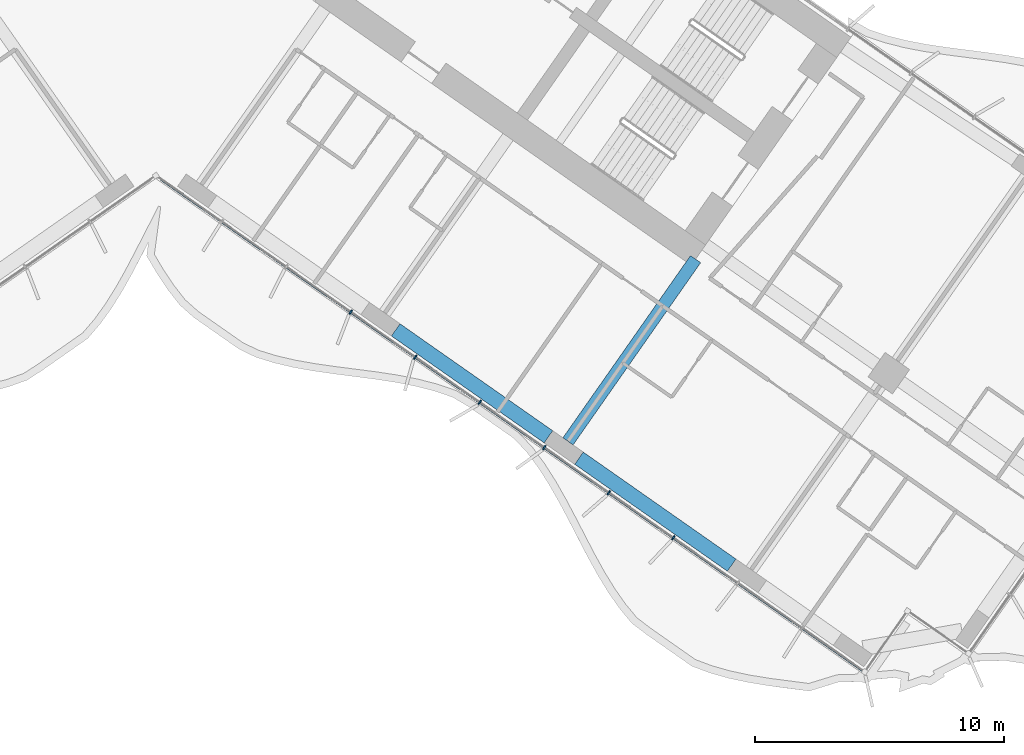
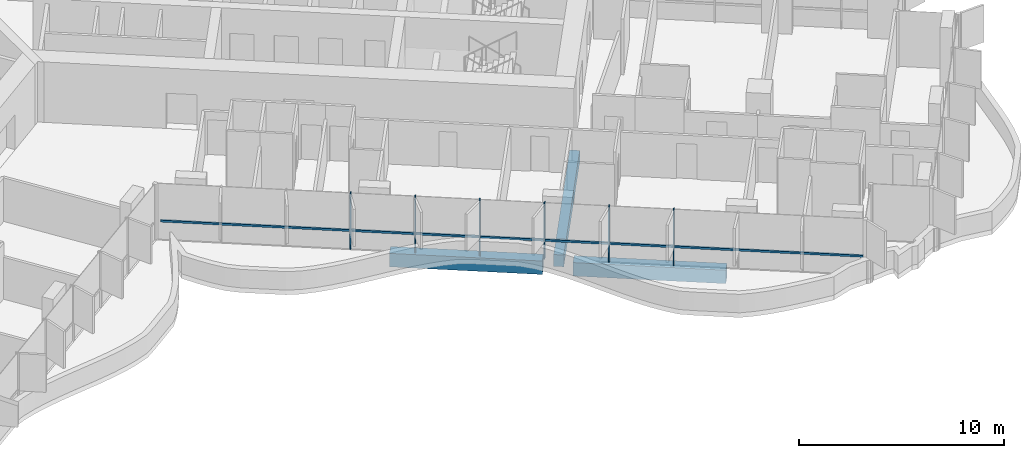
# One storey, part 5 of 23: 7 members, 3 beams, 1 element without a shape of its own.
"""IFC4 building model written with IfcOpenShell, lengths in metres."""

import ifcopenshell
import ifcopenshell.guid

model = None  # the IFC model being written
_history = None  # IfcOwnerHistory: only IFC2X3 demands one
_inside = {}  # id of a spatial element -> (the spatial element, [elements in it])
_under = {}  # id of a project, library or spatial element -> (it, [spatial elements below it])
_declared = {}  # id of a project -> (the project, [libraries it declares])
_typed = {}  # id of a type object -> (the type object, [elements of that type])
_made_of = {}  # id of a material, layer set ... -> (it, [elements and type objects made of it])


def new_model(schema):
    """Start an empty IFC model of exactly this schema.

    Asked for "IFC4X3", IfcOpenShell would pick the latest addendum, in which some entities
    have other attributes; the version numbers below select the first issue.
    IFC2X3 requires an IfcOwnerHistory on every rooted entity: one is made here for all.
    """
    global model, _history
    if schema == "IFC4X3":
        model = ifcopenshell.file(schema_version=(4, 3, 0, 0))
    else:
        model = ifcopenshell.file(schema=schema)
    _inside.clear()
    _under.clear()
    _declared.clear()
    _typed.clear()
    _made_of.clear()
    _history = None
    if model.schema == "IFC2X3":
        org = make("IfcOrganization", Name="unknown")
        user = make(
            "IfcPersonAndOrganization",
            ThePerson=make("IfcPerson", FamilyName="unknown"),
            TheOrganization=org,
        )
        app = make(
            "IfcApplication",
            ApplicationDeveloper=org,
            Version="unknown",
            ApplicationFullName="unknown",
            ApplicationIdentifier="unknown",
        )
        _history = make(
            "IfcOwnerHistory",
            OwningUser=user,
            OwningApplication=app,
            ChangeAction="ADDED",
            CreationDate=0,
        )
    return model


def make(cls, **values):
    """One entity of the class cls with the attributes given. An attribute that is None is left unset."""
    return model.create_entity(
        cls, **{name: value for name, value in values.items() if value is not None}
    )


def rooted(cls, **values):
    """An entity with a GlobalId (a new one), such as an element, a storey or a relation."""
    return make(cls, GlobalId=ifcopenshell.guid.new(), OwnerHistory=_history, **values)


def si_unit(unit_type, name, prefix=None):
    """IfcSIUnit, for example si_unit("LENGTHUNIT", "METRE", prefix="MILLI")."""
    return make("IfcSIUnit", UnitType=unit_type, Prefix=prefix, Name=name)


def assignment(units):
    """IfcUnitAssignment: the units of a project."""
    return None if units is None else make("IfcUnitAssignment", Units=units)


def point(xyz):
    """IfcCartesianPoint."""
    return None if xyz is None else make("IfcCartesianPoint", Coordinates=xyz)


def direction(xyz):
    """IfcDirection."""
    return None if xyz is None else make("IfcDirection", DirectionRatios=xyz)


def frame(location, z_axis=None, x_axis=None):
    """IfcAxis2Placement3D, a coordinate frame: its origin and axes. An axis left out is left unset."""
    return make(
        "IfcAxis2Placement3D",
        Location=point(location),
        Axis=direction(z_axis),
        RefDirection=direction(x_axis),
    )


def frame_2d(location, x_axis=None):
    """IfcAxis2Placement2D, a coordinate frame in the plane: its origin and x axis."""
    return make(
        "IfcAxis2Placement2D", Location=point(location), RefDirection=direction(x_axis)
    )


def origin():
    """The frame at (0, 0, 0) with its axes left unset."""
    return frame((0.0, 0.0, 0.0))


def origin_2d():
    """The frame at (0, 0) in the plane with its x axis left unset."""
    return frame_2d((0.0, 0.0))


def place(relative_to, where):
    """IfcLocalPlacement: puts the frame where relative to a parent placement (None: the world)."""
    return make(
        "IfcLocalPlacement", PlacementRelTo=relative_to, RelativePlacement=where
    )


def context(
    kind, dimensions, precision=None, world=None, true_north=None, identifier=None
):
    """IfcGeometricRepresentationContext, for example the 3D "Model" context."""
    return make(
        "IfcGeometricRepresentationContext",
        ContextIdentifier=identifier,
        ContextType=kind,
        CoordinateSpaceDimension=dimensions,
        Precision=precision,
        WorldCoordinateSystem=world,
        TrueNorth=true_north,
    )


def subcontext(parent, identifier, kind, view, scale=None):
    """IfcGeometricRepresentationSubContext, for example "Body" below "Model"."""
    return make(
        "IfcGeometricRepresentationSubContext",
        ContextIdentifier=identifier,
        ContextType=kind,
        ParentContext=parent,
        TargetScale=scale,
        TargetView=view,
    )


def project(units=None, contexts=None):
    """IfcProject with its units and contexts."""
    return rooted(
        "IfcProject",
        Name="project",
        RepresentationContexts=contexts,
        UnitsInContext=assignment(units),
    )


def spatial(cls, under=None, at=None, **own):
    """A site, building, storey or space (cls), placed at a placement, below another one or the project."""
    s = rooted(cls, ObjectPlacement=at, **own)
    if under is not None:
        _under.setdefault(under.id(), (under, []))[1].append(s)
    return s


def profile(cls, at=None, kind="AREA", **sizes):
    """A parametric profile (cls). Its sizes go by their IFC names, for example OverallWidth=200.0."""
    return make(cls, ProfileType=kind, Position=at, **sizes)


def rectangle(**sizes):
    """IfcRectangleProfileDef."""
    return profile("IfcRectangleProfileDef", **sizes)


def extrude(swept, where, along, depth):
    """IfcExtrudedAreaSolid: the profile swept, set in the frame where, extruded along a direction by depth."""
    return make(
        "IfcExtrudedAreaSolid",
        SweptArea=swept,
        Position=where,
        ExtrudedDirection=direction(along),
        Depth=depth,
    )


def shape(context_of_items, identifier, shape_type, items):
    """IfcShapeRepresentation: the items that make up one representation, for example the "Body"."""
    return make(
        "IfcShapeRepresentation",
        ContextOfItems=context_of_items,
        RepresentationIdentifier=identifier,
        RepresentationType=shape_type,
        Items=items,
    )


def material(Name=None, Category=None):
    """IfcMaterial."""
    return make("IfcMaterial", Name=Name, Category=Category)


def material_profile(
    of_material, cross_section, Name=None, Category=None, Priority=None
):
    """IfcMaterialProfile: a cross section and its material."""
    return make(
        "IfcMaterialProfile",
        Name=Name,
        Material=of_material,
        Profile=cross_section,
        Priority=Priority,
        Category=Category,
    )


def profile_set(profiles, Name=None, composite=None):
    """IfcMaterialProfileSet."""
    return make(
        "IfcMaterialProfileSet",
        Name=Name,
        MaterialProfiles=profiles,
        CompositeProfile=composite,
    )


def made_of(thing, what):
    """Note that an element or type object is made of a material, layer set ...; save() writes the relation."""
    if what is not None:
        _made_of.setdefault(what.id(), (what, []))[1].append(thing)
    return thing


def type_object(cls, material=None, **own):
    """A type object (cls), such as IfcWallType, which elements share."""
    return made_of(rooted(cls, **own), material)


def element(
    cls,
    number,
    at=None,
    inside=None,
    cuts=None,
    type_object=None,
    material=None,
    context=None,
    identifier="Body",
    shape_type=None,
    held_by="IfcProductDefinitionShape",
    body=None,
    shapes=None,
    **own,
):
    """One element of the class cls, such as IfcWall. Its Tag is "e" and its number.

    at: its placement. inside: the storey or other place that contains it. cuts: it is an
    opening in that element (IfcRelVoidsElement). A single representation is given by context,
    identifier, shape_type and body (its items); several are given by shapes. held_by: the class
    of the entity that holds the representations. save() writes the other relations.
    """
    e = rooted(cls, Tag="e%d" % number, ObjectPlacement=at, **own)
    if body is not None:
        shapes = [shape(context, identifier, shape_type, body)]
    if shapes is not None:
        e.Representation = make(held_by, Representations=shapes)
    if inside is not None:
        _inside.setdefault(inside.id(), (inside, []))[1].append(e)
    if cuts is not None:
        rooted(
            "IfcRelVoidsElement", RelatingBuildingElement=cuts, RelatedOpeningElement=e
        )
    if type_object is not None:
        _typed.setdefault(type_object.id(), (type_object, []))[1].append(e)
    return made_of(e, material)


def aggregate(whole, parts):
    """IfcRelAggregates: a whole, such as a stair, and the parts it consists of."""
    return rooted("IfcRelAggregates", RelatingObject=whole, RelatedObjects=parts)


def save(model, path):
    """Write the relations noted so far, then the file.

    IfcRelAggregates (storeys below a building ...), IfcRelContainedInSpatialStructure (elements
    in a storey), IfcRelDefinesByType, IfcRelAssociatesMaterial and IfcRelDeclares: one each for
    every whole, place, type object, material and project.
    """
    for whole, parts in _under.values():
        aggregate(whole, parts)
    for where, things in _inside.values():
        rooted(
            "IfcRelContainedInSpatialStructure",
            RelatedElements=things,
            RelatingStructure=where,
        )
    for kind, things in _typed.values():
        rooted("IfcRelDefinesByType", RelatedObjects=things, RelatingType=kind)
    for what, things in _made_of.values():
        rooted("IfcRelAssociatesMaterial", RelatedObjects=things, RelatingMaterial=what)
    for by, libraries in _declared.values():
        rooted("IfcRelDeclares", RelatingContext=by, RelatedDefinitions=libraries)
    model.write(path)


model = new_model("IFC4")

# Units and contexts
model_context = context("Model", 3, precision=1e-05, world=origin(), true_north=direction((0.0, 1.0)))
body_context = subcontext(model_context, "Body", "Model", "MODEL_VIEW")
ifc_project = project(units=[si_unit("LENGTHUNIT", "METRE"), si_unit("AREAUNIT", "SQUARE_METRE"), si_unit("VOLUMEUNIT", "CUBIC_METRE"), si_unit("PLANEANGLEUNIT", "RADIAN"), si_unit("MASSUNIT", "GRAM", prefix="KILO")], contexts=[model_context])

# Site, building, storey
site_placement = place(None, origin())
site = spatial("IfcSite", under=ifc_project, at=site_placement, CompositionType="ELEMENT")
building_placement = place(site_placement, origin())
building = spatial("IfcBuilding", under=site, at=building_placement, Name="Tel Ilan Convention Tower", CompositionType="ELEMENT")
storey_placement = place(building_placement, frame((0.0, 0.0, 115.699951171875)))
storey = spatial("IfcBuildingStorey", under=building, at=storey_placement, Name="L25", CompositionType="ELEMENT", Elevation=115.699951171875)

# Beams
ifc_material_1 = material(Name="Concrete C40/50", Category="concrete")
ifc_material_profile_1 = material_profile(ifc_material_1, rectangle(XDim=0.5, YDim=0.699951171875, at=origin_2d()), Name="RC 500x700")
ifc_profile_set_1 = profile_set([ifc_material_profile_1], Name="Concrete C40/50")
beam_type_1 = type_object("IfcBeamType", Name="Beam RC 500x700 Concrete C40/50", PredefinedType="BEAM", material=ifc_profile_set_1)
beam_placement = place(storey_placement, frame((16.58203125, -23.391357421875, -0.6298828125), z_axis=(0.573584999642, 0.819146048141, 0.0), x_axis=(-0.819146048141, 0.573584999642, 0.0)))
element("IfcBeam", 1, at=beam_placement, inside=storey, type_object=beam_type_1, Name="L25 beam E-E-F3-core", PredefinedType="BEAM", context=body_context, shape_type="SweptSolid", body=[
    extrude(rectangle(XDim=0.5, YDim=0.699951171875, at=origin_2d()), origin(), (0.0, 0.0, 1.0), 8.949951171875),
])
ifc_material_2 = material(Name="Concrete C40/50", Category="concrete")
ifc_material_profile_2 = material_profile(ifc_material_2, rectangle(XDim=0.60009765625, YDim=0.800048828125, at=origin_2d()), Name="RC 600x800")
ifc_profile_set_2 = profile_set([ifc_material_profile_2], Name="Concrete C40/50")
beam_type_2 = type_object("IfcBeamType", Name="Beam RC 600x800 Concrete C40/50", PredefinedType="BEAM", material=ifc_profile_set_2)
for number, where, z_axis, x_axis, name in (
    (2, (9.652099609375, -18.905029296875, -0.679931640625), (0.81915238829, -0.573575945067, 0.0), (0.573575945067, 0.81915238829, 0.0), "L25 beam E-E-F2-E-F3"),
    (3, (17.0244140625, -24.0673828125, -0.679931640625), (0.81915238829, -0.573575945067, 0.0), (0.573575945067, 0.81915238829, 0.0), "L25 beam E-E-F3-E-F4"),
):
    element("IfcBeam", number, at=place(storey_placement, frame(where, z_axis=z_axis, x_axis=x_axis)), inside=storey, type_object=beam_type_2, Name=name, PredefinedType="BEAM", context=body_context, shape_type="SweptSolid", body=[
        extrude(rectangle(XDim=0.60009765625, YDim=0.800048828125, at=origin_2d()), origin(), (0.0, 0.0, 1.0), 7.5),
    ])

# Curtain wall, members
ifc_material_3 = material(Name="Aluminium, bronze anodised", Category="aluminium")
curtain_wall_type = type_object("IfcCurtainWallType", Name="CW1 UNITISED CURTAIN WALL, HOTEL TINTED GLASS", PredefinedType="NOTDEFINED", material=ifc_material_3)
curtain_wall_placement = place(storey_placement, origin())
curtain_wall = element("IfcCurtainWall", 4, at=curtain_wall_placement, inside=storey, type_object=curtain_wall_type, Name="Curtain wall CW1-20.02", PredefinedType="NOTDEFINED")
ifc_material_4 = material(Name="Aluminium, bronze anodised", Category="aluminium")
ifc_material_profile_3 = material_profile(ifc_material_4, rectangle(XDim=0.06005859375, YDim=0.199951171875, at=origin_2d()), Name="CW MULLION 60x200")
ifc_profile_set_3 = profile_set([ifc_material_profile_3], Name="Aluminium, bronze anodised")
member_type_1 = type_object("IfcMemberType", Name="CW MULLION 60x200", PredefinedType="MULLION", material=ifc_profile_set_3)
member_1_placement = place(storey_placement, frame((7.842529296875, -18.1875, 0.0), z_axis=(0.0, 0.0, 1.0), x_axis=(0.819152044289, -0.573576436351, 0.0)))
member_1 = element("IfcMember", 5, at=member_1_placement, type_object=member_type_1, Name="Mullion", PredefinedType="MULLION", context=body_context, shape_type="SweptSolid", body=[
    extrude(rectangle(XDim=0.06005859375, YDim=0.199951171875, at=origin_2d()), origin(), (0.0, 0.0, 1.0), 3.320068359375),
])
member_2_placement = place(storey_placement, frame((10.4375, -20.004638671875, 0.0), z_axis=(0.0, 0.0, 1.0), x_axis=(0.819152044289, -0.573576436351, 0.0)))
member_2 = element("IfcMember", 6, at=member_2_placement, type_object=member_type_1, Name="Mullion", PredefinedType="MULLION", context=body_context, shape_type="SweptSolid", body=[
    extrude(rectangle(XDim=0.06005859375, YDim=0.199951171875, at=origin_2d()), origin(), (0.0, 0.0, 1.0), 3.320068359375),
])
member_3_placement = place(storey_placement, frame((13.03271484375, -21.821533203125, 0.0), z_axis=(0.0, 0.0, 1.0), x_axis=(0.819152044289, -0.573576436351, 0.0)))
member_3 = element("IfcMember", 7, at=member_3_placement, type_object=member_type_1, Name="Mullion", PredefinedType="MULLION", context=body_context, shape_type="SweptSolid", body=[
    extrude(rectangle(XDim=0.06005859375, YDim=0.199951171875, at=origin_2d()), origin(), (0.0, 0.0, 1.0), 3.320068359375),
])
member_4_placement = place(storey_placement, frame((15.627685546875, -23.638671875, 0.0), z_axis=(0.0, 0.0, 1.0), x_axis=(0.819152044289, -0.573576436351, 0.0)))
member_4 = element("IfcMember", 8, at=member_4_placement, type_object=member_type_1, Name="Mullion", PredefinedType="MULLION", context=body_context, shape_type="SweptSolid", body=[
    extrude(rectangle(XDim=0.06005859375, YDim=0.199951171875, at=origin_2d()), origin(), (0.0, 0.0, 1.0), 3.320068359375),
])
member_5_placement = place(storey_placement, frame((18.222900390625, -25.455810546875, 0.0), z_axis=(0.0, 0.0, 1.0), x_axis=(0.819152044289, -0.573576436351, 0.0)))
member_5 = element("IfcMember", 9, at=member_5_placement, type_object=member_type_1, Name="Mullion", PredefinedType="MULLION", context=body_context, shape_type="SweptSolid", body=[
    extrude(rectangle(XDim=0.06005859375, YDim=0.199951171875, at=origin_2d()), origin(), (0.0, 0.0, 1.0), 3.320068359375),
])
member_6_placement = place(storey_placement, frame((20.81787109375, -27.27294921875, 0.0), z_axis=(0.0, 0.0, 1.0), x_axis=(0.819152044289, -0.573576436351, 0.0)))
member_6 = element("IfcMember", 10, at=member_6_placement, type_object=member_type_1, Name="Mullion", PredefinedType="MULLION", context=body_context, shape_type="SweptSolid", body=[
    extrude(rectangle(XDim=0.06005859375, YDim=0.199951171875, at=origin_2d()), origin(), (0.0, 0.0, 1.0), 3.320068359375),
])
ifc_material_5 = material(Name="Aluminium, bronze anodised", Category="aluminium")
ifc_material_profile_4 = material_profile(ifc_material_5, rectangle(XDim=0.10009765625, YDim=0.1201171875, at=origin_2d()), Name="CW TRANSOM 100x120")
ifc_profile_set_4 = profile_set([ifc_material_profile_4], Name="Aluminium, bronze anodised")
member_type_2 = type_object("IfcMemberType", Name="CW TRANSOM 100x120", PredefinedType="USERDEFINED", material=ifc_profile_set_4)
member_7_placement = place(storey_placement, frame((0.22119140625, -12.850830078125, 1.10009765625), z_axis=(0.819151003602, -0.573577922604, 0.0), x_axis=(0.573577922604, 0.819151003602, 0.0)))
member_7 = element("IfcMember", 11, at=member_7_placement, type_object=member_type_2, Name="Transom", ObjectType="TRANSOM", PredefinedType="USERDEFINED", context=body_context, shape_type="SweptSolid", body=[
    extrude(rectangle(XDim=0.10009765625, YDim=0.1201171875, at=origin_2d()), origin(), (0.0, 0.0, 1.0), 34.447998046875),
])
aggregate(curtain_wall, [member_1, member_2, member_3, member_4, member_5, member_6, member_7])

save(model, "model.ifc")
